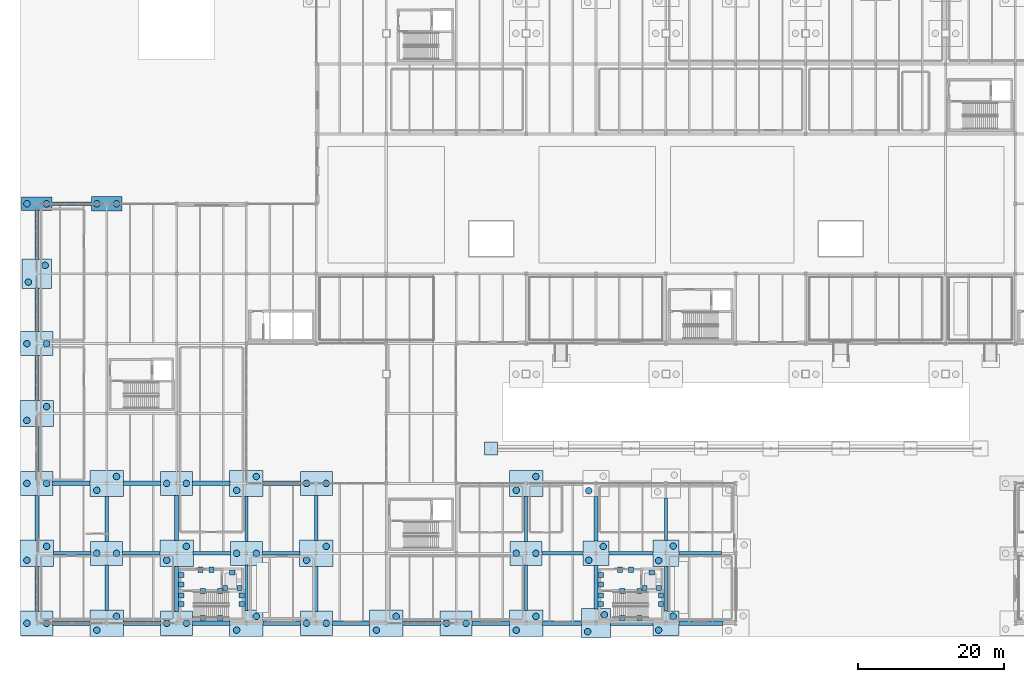
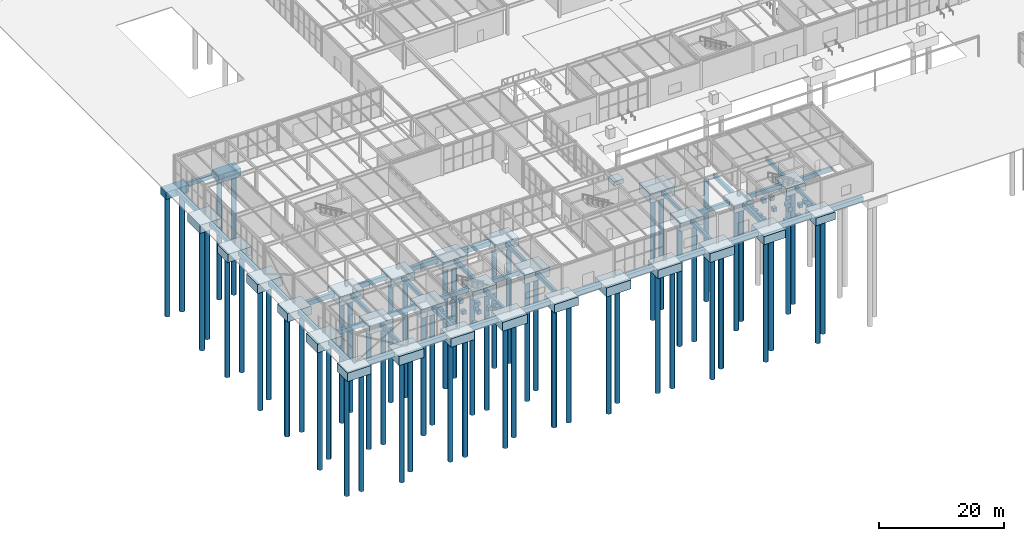
# One storey, part 1 of 142: 102 footings, 59 piles.
"""IFC4 building model written with IfcOpenShell, lengths in metres."""

from ifc_helpers import new_model, si_unit, direction, frame, origin, origin_2d, place, context, subcontext, project, spatial, rectangle, circle, extrude, material, material_profile, profile_set, type_object, element, save


model = new_model("IFC4")

# Units and contexts
model_context = context("Model", 3, precision=1e-05, world=origin(), true_north=direction((0.0, 1.0)))
body_context = subcontext(model_context, "Body", "Model", "MODEL_VIEW")
ifc_project = project(units=[si_unit("LENGTHUNIT", "METRE"), si_unit("AREAUNIT", "SQUARE_METRE"), si_unit("VOLUMEUNIT", "CUBIC_METRE"), si_unit("PLANEANGLEUNIT", "RADIAN"), si_unit("MASSUNIT", "GRAM", prefix="KILO")], contexts=[model_context])

# Site, building, storey
site_placement = place(None, origin())
site = spatial("IfcSite", under=ifc_project, at=site_placement, CompositionType="ELEMENT")
building_placement = place(site_placement, origin())
building = spatial("IfcBuilding", under=site, at=building_placement, Name="Coralgate Yard Interchange", CompositionType="ELEMENT")
storey_placement = place(building_placement, origin())
storey = spatial("IfcBuildingStorey", under=building, at=storey_placement, Name="L00", CompositionType="ELEMENT", Elevation=0.0)

# Footings
ifc_material_1 = material(Name="Concrete C40/50", Category="concrete")
ifc_material_profile_1 = material_profile(ifc_material_1, rectangle(XDim=0.60009765625, YDim=0.89990234375, at=origin_2d()), Name="RC 600x900")
ifc_profile_set_1 = profile_set([ifc_material_profile_1], Name="Concrete C40/50")
footing_type_1 = type_object("IfcFootingType", Name="FTG-GB-1", PredefinedType="FOOTING_BEAM", material=ifc_profile_set_1)
for number, where, z_axis, x_axis, name in (
    (1, (2.179931640625, 0.0, -0.800048828125), (1.0, 0.0, 0.0), (0.0, 1.0, 0.0), "Ground tie-beam X 0-0"),
    (2, (2.179931640625, 19.199951171875, -0.800048828125), (1.0, 0.0, 0.0), (0.0, 1.0, 0.0), "Ground tie-beam X 0-2"),
    (3, (11.8798828125, 0.0, -0.800048828125), (1.0, 0.0, 0.0), (0.0, 1.0, 0.0), "Ground tie-beam X 1-0"),
    (4, (11.8798828125, 19.199951171875, -0.800048828125), (1.0, 0.0, 0.0), (0.0, 1.0, 0.0), "Ground tie-beam X 1-2"),
    (5, (21.3798828125, 0.0, -0.800048828125), (1.0, 0.0, 0.0), (0.0, 1.0, 0.0), "Ground tie-beam X 2-0"),
    (6, (21.3798828125, 19.199951171875, -0.800048828125), (1.0, 0.0, 0.0), (0.0, 1.0, 0.0), "Ground tie-beam X 2-2"),
):
    element("IfcFooting", number, at=place(storey_placement, frame(where, z_axis=z_axis, x_axis=x_axis)), inside=storey, type_object=footing_type_1, Name=name, PredefinedType="FOOTING_BEAM", context=body_context, shape_type="SweptSolid", body=[
        extrude(rectangle(XDim=0.60009765625, YDim=0.89990234375, at=origin_2d()), origin(), (0.0, 0.0, 1.0), 5.14013671875),
    ])
for number, where, z_axis, x_axis, name in (
    (7, (31.080078125, 0.0, -0.800048828125), (1.0, 0.0, 0.0), (0.0, 1.0, 0.0), "Ground tie-beam X 3-0"),
    (8, (31.080078125, 19.199951171875, -0.800048828125), (1.0, 0.0, 0.0), (0.0, 1.0, 0.0), "Ground tie-beam X 3-2"),
    (9, (40.580078125, 0.0, -0.800048828125), (1.0, 0.0, 0.0), (0.0, 1.0, 0.0), "Ground tie-beam X 4-0"),
    (10, (50.280029296875, 0.0, -0.800048828125), (1.0, 0.0, 0.0), (0.0, 1.0, 0.0), "Ground tie-beam X 5-0"),
    (11, (59.780029296875, 0.0, -0.800048828125), (1.0, 0.0, 0.0), (0.0, 1.0, 0.0), "Ground tie-beam X 6-0"),
):
    element("IfcFooting", number, at=place(storey_placement, frame(where, z_axis=z_axis, x_axis=x_axis)), inside=storey, type_object=footing_type_1, Name=name, PredefinedType="FOOTING_BEAM", context=body_context, shape_type="SweptSolid", body=[
        extrude(rectangle(XDim=0.60009765625, YDim=0.89990234375, at=origin_2d()), origin(), (0.0, 0.0, 1.0), 5.139892578125),
    ])
footing_1_placement = place(storey_placement, frame((69.47998046875, 0.0, -0.800048828125), z_axis=(1.0, 0.0, 0.0), x_axis=(0.0, 1.0, 0.0)))
element("IfcFooting", 12, at=footing_1_placement, inside=storey, type_object=footing_type_1, Name="Ground tie-beam X 7-0", PredefinedType="FOOTING_BEAM", context=body_context, shape_type="SweptSolid", body=[
    extrude(rectangle(XDim=0.60009765625, YDim=0.89990234375, at=origin_2d()), origin(), (0.0, 0.0, 1.0), 5.340087890625),
])
footing_2_placement = place(storey_placement, frame((78.780029296875, 0.0, -0.800048828125), z_axis=(1.0, 0.0, 0.0), x_axis=(0.0, 1.0, 0.0)))
element("IfcFooting", 13, at=footing_2_placement, inside=storey, type_object=footing_type_1, Name="Ground tie-beam X 8-0", PredefinedType="FOOTING_BEAM", context=body_context, shape_type="SweptSolid", body=[
    extrude(rectangle(XDim=0.60009765625, YDim=0.89990234375, at=origin_2d()), origin(), (0.0, 0.0, 1.0), 5.840087890625),
])
footing_3_placement = place(storey_placement, frame((88.179931640625, 0.0, -0.800048828125), z_axis=(1.0, 0.0, 0.0), x_axis=(0.0, 1.0, 0.0)))
element("IfcFooting", 14, at=footing_3_placement, inside=storey, type_object=footing_type_1, Name="Ground tie-beam X 9-0", PredefinedType="FOOTING_BEAM", context=body_context, shape_type="SweptSolid", body=[
    extrude(rectangle(XDim=0.60009765625, YDim=0.89990234375, at=origin_2d()), origin(), (0.0, 0.0, 1.0), 6.0400390625),
])
ifc_material_profile_2 = material_profile(ifc_material_1, rectangle(XDim=0.5, YDim=0.800048828125, at=origin_2d()), Name="RC 500x800")
ifc_profile_set_2 = profile_set([ifc_material_profile_2], Name="Concrete C40/50")
footing_type_2 = type_object("IfcFootingType", Name="FTG-GB-2", PredefinedType="FOOTING_BEAM", material=ifc_profile_set_2)
footing_4_placement = place(storey_placement, frame((0.0, 1.6298828125, -0.75), z_axis=(0.0, 1.0, 0.0), x_axis=(-1.0, 0.0, 0.0)))
element("IfcFooting", 15, at=footing_4_placement, inside=storey, type_object=footing_type_2, Name="Ground tie-beam Y 0-0", PredefinedType="FOOTING_BEAM", context=body_context, shape_type="SweptSolid", body=[
    extrude(rectangle(XDim=0.5, YDim=0.800048828125, at=origin_2d()), origin(), (0.0, 0.0, 1.0), 6.190185546875),
])
footing_5_placement = place(storey_placement, frame((2.280029296875, 9.60009765625, -0.75), z_axis=(1.0, 0.0, 0.0), x_axis=(0.0, 1.0, 0.0)))
element("IfcFooting", 16, at=footing_5_placement, inside=storey, type_object=footing_type_2, Name="Ground tie-beam X 0-1", PredefinedType="FOOTING_BEAM", context=body_context, shape_type="SweptSolid", body=[
    extrude(rectangle(XDim=0.5, YDim=0.800048828125, at=origin_2d()), origin(), (0.0, 0.0, 1.0), 5.139892578125),
])
footing_6_placement = place(storey_placement, frame((0.0, 11.3798828125, -0.75), z_axis=(0.0, 1.0, 0.0), x_axis=(-1.0, 0.0, 0.0)))
element("IfcFooting", 17, at=footing_6_placement, inside=storey, type_object=footing_type_2, Name="Ground tie-beam Y 0-1", PredefinedType="FOOTING_BEAM", context=body_context, shape_type="SweptSolid", body=[
    extrude(rectangle(XDim=0.5, YDim=0.800048828125, at=origin_2d()), origin(), (0.0, 0.0, 1.0), 6.190185546875),
])
for number, where, z_axis, x_axis, name in (
    (18, (0.0, 20.830078125, -0.75), (0.0, 1.0, 0.0), (-1.0, 0.0, 0.0), "Ground tie-beam Y 0-2"),
    (19, (0.0, 30.580078125, -0.75), (0.0, 1.0, 0.0), (-1.0, 0.0, 0.0), "Ground tie-beam Y 0-3"),
):
    element("IfcFooting", number, at=place(storey_placement, frame(where, z_axis=z_axis, x_axis=x_axis)), inside=storey, type_object=footing_type_2, Name=name, PredefinedType="FOOTING_BEAM", context=body_context, shape_type="SweptSolid", body=[
        extrude(rectangle(XDim=0.5, YDim=0.800048828125, at=origin_2d()), origin(), (0.0, 0.0, 1.0), 6.18994140625),
    ])
footing_7_placement = place(storey_placement, frame((0.0, 40.030029296875, -0.75), z_axis=(0.0, 1.0, 0.0), x_axis=(-1.0, 0.0, 0.0)))
element("IfcFooting", 20, at=footing_7_placement, inside=storey, type_object=footing_type_2, Name="Ground tie-beam Y 0-4", PredefinedType="FOOTING_BEAM", context=body_context, shape_type="SweptSolid", body=[
    extrude(rectangle(XDim=0.5, YDim=0.800048828125, at=origin_2d()), origin(), (0.0, 0.0, 1.0), 5.989990234375),
])
footing_8_placement = place(storey_placement, frame((0.0, 49.97998046875, -0.75), z_axis=(0.0, 1.0, 0.0), x_axis=(-1.0, 0.0, 0.0)))
element("IfcFooting", 21, at=footing_8_placement, inside=storey, type_object=footing_type_2, Name="Ground tie-beam Y 0-5", PredefinedType="FOOTING_BEAM", context=body_context, shape_type="SweptSolid", body=[
    extrude(rectangle(XDim=0.5, YDim=0.800048828125, at=origin_2d()), origin(), (0.0, 0.0, 1.0), 6.739990234375),
])
footing_9_placement = place(storey_placement, frame((2.080078125, 57.60009765625, -0.75), z_axis=(1.0, 0.0, 0.0), x_axis=(0.0, 1.0, 0.0)))
element("IfcFooting", 22, at=footing_9_placement, inside=storey, type_object=footing_type_2, Name="Ground tie-beam X 0-6", PredefinedType="FOOTING_BEAM", context=body_context, shape_type="SweptSolid", body=[
    extrude(rectangle(XDim=0.5, YDim=0.800048828125, at=origin_2d()), origin(), (0.0, 0.0, 1.0), 5.43994140625),
])
footing_10_placement = place(storey_placement, frame((11.780029296875, 9.60009765625, -0.75), z_axis=(1.0, 0.0, 0.0), x_axis=(0.0, 1.0, 0.0)))
element("IfcFooting", 23, at=footing_10_placement, inside=storey, type_object=footing_type_2, Name="Ground tie-beam X 1-1", PredefinedType="FOOTING_BEAM", context=body_context, shape_type="SweptSolid", body=[
    extrude(rectangle(XDim=0.5, YDim=0.800048828125, at=origin_2d()), origin(), (0.0, 0.0, 1.0), 5.139892578125),
])
footing_11_placement = place(storey_placement, frame((19.199951171875, 1.6298828125, -0.75), z_axis=(0.0, 1.0, 0.0), x_axis=(-1.0, 0.0, 0.0)))
element("IfcFooting", 24, at=footing_11_placement, inside=storey, type_object=footing_type_2, Name="Ground tie-beam Y 2-0", PredefinedType="FOOTING_BEAM", context=body_context, shape_type="SweptSolid", body=[
    extrude(rectangle(XDim=0.5, YDim=0.800048828125, at=origin_2d()), origin(), (0.0, 0.0, 1.0), 6.190185546875),
])
footing_12_placement = place(storey_placement, frame((21.47998046875, 9.60009765625, -0.75), z_axis=(1.0, 0.0, 0.0), x_axis=(0.0, 1.0, 0.0)))
element("IfcFooting", 25, at=footing_12_placement, inside=storey, type_object=footing_type_2, Name="Ground tie-beam X 2-1", PredefinedType="FOOTING_BEAM", context=body_context, shape_type="SweptSolid", body=[
    extrude(rectangle(XDim=0.5, YDim=0.800048828125, at=origin_2d()), origin(), (0.0, 0.0, 1.0), 5.14013671875),
])
footing_13_placement = place(storey_placement, frame((19.199951171875, 11.3798828125, -0.75), z_axis=(0.0, 1.0, 0.0), x_axis=(-1.0, 0.0, 0.0)))
element("IfcFooting", 26, at=footing_13_placement, inside=storey, type_object=footing_type_2, Name="Ground tie-beam Y 2-1", PredefinedType="FOOTING_BEAM", context=body_context, shape_type="SweptSolid", body=[
    extrude(rectangle(XDim=0.5, YDim=0.800048828125, at=origin_2d()), origin(), (0.0, 0.0, 1.0), 6.190185546875),
])
footing_14_placement = place(storey_placement, frame((30.97998046875, 9.60009765625, -0.75), z_axis=(1.0, 0.0, 0.0), x_axis=(0.0, 1.0, 0.0)))
element("IfcFooting", 27, at=footing_14_placement, inside=storey, type_object=footing_type_2, Name="Ground tie-beam X 3-1", PredefinedType="FOOTING_BEAM", context=body_context, shape_type="SweptSolid", body=[
    extrude(rectangle(XDim=0.5, YDim=0.800048828125, at=origin_2d()), origin(), (0.0, 0.0, 1.0), 5.14013671875),
])
for number, where, z_axis, x_axis, name in (
    (28, (38.39990234375, 1.6298828125, -0.75), (0.0, 1.0, 0.0), (-1.0, 0.0, 0.0), "Ground tie-beam Y 4-0"),
    (29, (38.39990234375, 11.3798828125, -0.75), (0.0, 1.0, 0.0), (-1.0, 0.0, 0.0), "Ground tie-beam Y 4-1"),
):
    element("IfcFooting", number, at=place(storey_placement, frame(where, z_axis=z_axis, x_axis=x_axis)), inside=storey, type_object=footing_type_2, Name=name, PredefinedType="FOOTING_BEAM", context=body_context, shape_type="SweptSolid", body=[
        extrude(rectangle(XDim=0.5, YDim=0.800048828125, at=origin_2d()), origin(), (0.0, 0.0, 1.0), 6.190185546875),
    ])
footing_15_placement = place(storey_placement, frame((69.3798828125, 9.60009765625, -0.75), z_axis=(1.0, 0.0, 0.0), x_axis=(0.0, 1.0, 0.0)))
element("IfcFooting", 30, at=footing_15_placement, inside=storey, type_object=footing_type_2, Name="Ground tie-beam X 7-1", PredefinedType="FOOTING_BEAM", context=body_context, shape_type="SweptSolid", body=[
    extrude(rectangle(XDim=0.5, YDim=0.800048828125, at=origin_2d()), origin(), (0.0, 0.0, 1.0), 5.64013671875),
])
footing_16_placement = place(storey_placement, frame((76.800048828125, 1.97998046875, -0.75), z_axis=(0.0, 1.0, 0.0), x_axis=(-1.0, 0.0, 0.0)))
element("IfcFooting", 31, at=footing_16_placement, inside=storey, type_object=footing_type_2, Name="Ground tie-beam Y 8-0", PredefinedType="FOOTING_BEAM", context=body_context, shape_type="SweptSolid", body=[
    extrude(rectangle(XDim=0.5, YDim=0.800048828125, at=origin_2d()), origin(), (0.0, 0.0, 1.0), 5.93994140625),
])
footing_17_placement = place(storey_placement, frame((78.580078125, 9.60009765625, -0.75), z_axis=(1.0, 0.0, 0.0), x_axis=(0.0, 1.0, 0.0)))
element("IfcFooting", 32, at=footing_17_placement, inside=storey, type_object=footing_type_2, Name="Ground tie-beam X 8-1", PredefinedType="FOOTING_BEAM", context=body_context, shape_type="SweptSolid", body=[
    extrude(rectangle(XDim=0.5, YDim=0.800048828125, at=origin_2d()), origin(), (0.0, 0.0, 1.0), 6.0400390625),
])
footing_18_placement = place(storey_placement, frame((76.800048828125, 11.280029296875, -0.75), z_axis=(0.0, 1.0, 0.0), x_axis=(-1.0, 0.0, 0.0)))
element("IfcFooting", 33, at=footing_18_placement, inside=storey, type_object=footing_type_2, Name="Ground tie-beam Y 8-1", PredefinedType="FOOTING_BEAM", context=body_context, shape_type="SweptSolid", body=[
    extrude(rectangle(XDim=0.5, YDim=0.800048828125, at=origin_2d()), origin(), (0.0, 0.0, 1.0), 6.139892578125),
])
footing_19_placement = place(storey_placement, frame((88.179931640625, 9.60009765625, -0.75), z_axis=(1.0, 0.0, 0.0), x_axis=(0.0, 1.0, 0.0)))
element("IfcFooting", 34, at=footing_19_placement, inside=storey, type_object=footing_type_2, Name="Ground tie-beam X 9-1", PredefinedType="FOOTING_BEAM", context=body_context, shape_type="SweptSolid", body=[
    extrude(rectangle(XDim=0.5, YDim=0.800048828125, at=origin_2d()), origin(), (0.0, 0.0, 1.0), 5.840087890625),
])
ifc_material_profile_3 = material_profile(ifc_material_1, rectangle(XDim=0.449951171875, YDim=0.699951171875, at=origin_2d()), Name="RC 450x700")
ifc_profile_set_3 = profile_set([ifc_material_profile_3], Name="Concrete C40/50")
footing_type_3 = type_object("IfcFootingType", Name="FTG-GB-3", PredefinedType="FOOTING_BEAM", material=ifc_profile_set_3)
for number, where, z_axis, x_axis, name in (
    (35, (9.60009765625, 1.780029296875, -0.699951171875), (0.0, 1.0, 0.0), (-1.0, 0.0, 0.0), "Ground tie-beam Y 1-0"),
    (36, (9.60009765625, 11.22998046875, -0.699951171875), (0.0, 1.0, 0.0), (-1.0, 0.0, 0.0), "Ground tie-beam Y 1-1"),
    (37, (28.800048828125, 1.780029296875, -0.699951171875), (0.0, 1.0, 0.0), (-1.0, 0.0, 0.0), "Ground tie-beam Y 3-0"),
    (38, (28.800048828125, 11.22998046875, -0.699951171875), (0.0, 1.0, 0.0), (-1.0, 0.0, 0.0), "Ground tie-beam Y 3-1"),
    (39, (67.199951171875, 1.780029296875, -0.699951171875), (0.0, 1.0, 0.0), (-1.0, 0.0, 0.0), "Ground tie-beam Y 7-0"),
    (40, (67.199951171875, 11.22998046875, -0.699951171875), (0.0, 1.0, 0.0), (-1.0, 0.0, 0.0), "Ground tie-beam Y 7-1"),
):
    element("IfcFooting", number, at=place(storey_placement, frame(where, z_axis=z_axis, x_axis=x_axis)), inside=storey, type_object=footing_type_3, Name=name, PredefinedType="FOOTING_BEAM", context=body_context, shape_type="SweptSolid", body=[
        extrude(rectangle(XDim=0.449951171875, YDim=0.699951171875, at=origin_2d()), origin(), (0.0, 0.0, 1.0), 6.18994140625),
    ])
footing_20_placement = place(storey_placement, frame((86.39990234375, 1.679931640625, -0.699951171875), z_axis=(0.0, 1.0, 0.0), x_axis=(-1.0, 0.0, 0.0)))
element("IfcFooting", 41, at=footing_20_placement, inside=storey, type_object=footing_type_3, Name="Ground tie-beam Y 9-0", PredefinedType="FOOTING_BEAM", context=body_context, shape_type="SweptSolid", body=[
    extrude(rectangle(XDim=0.449951171875, YDim=0.699951171875, at=origin_2d()), origin(), (0.0, 0.0, 1.0), 6.14013671875),
])
footing_21_placement = place(storey_placement, frame((86.39990234375, 11.3798828125, -0.699951171875), z_axis=(0.0, 1.0, 0.0), x_axis=(-1.0, 0.0, 0.0)))
element("IfcFooting", 42, at=footing_21_placement, inside=storey, type_object=footing_type_3, Name="Ground tie-beam Y 9-1", PredefinedType="FOOTING_BEAM", context=body_context, shape_type="SweptSolid", body=[
    extrude(rectangle(XDim=0.449951171875, YDim=0.699951171875, at=origin_2d()), origin(), (0.0, 0.0, 1.0), 5.840087890625),
])
footing_type_4 = type_object("IfcFootingType", Name="FTG-PC-2A", PredefinedType="PILE_CAP", material=ifc_material_1)
footing_22_placement = place(storey_placement, frame((0.0, 57.60009765625, -1.75), z_axis=(0.0, 0.0, 1.0), x_axis=(1.0, 0.0, 0.0)))
element("IfcFooting", 43, at=footing_22_placement, inside=storey, type_object=footing_type_4, Name="Pile cap 0-6", PredefinedType="PILE_CAP", context=body_context, shape_type="SweptSolid", body=[
    extrude(rectangle(XDim=4.199951171875, YDim=1.800048828125, at=origin_2d()), origin(), (0.0, 0.0, 1.0), 1.39990234375),
])
footing_type_5 = type_object("IfcFootingType", Name="FTG-PC-2B", PredefinedType="PILE_CAP", material=ifc_material_1)
footing_23_placement = place(storey_placement, frame((9.60009765625, 57.60009765625, -1.7998046875), z_axis=(0.0, 0.0, 1.0), x_axis=(1.0, 0.0, 0.0)))
element("IfcFooting", 44, at=footing_23_placement, inside=storey, type_object=footing_type_5, Name="Pile cap 1-6", PredefinedType="PILE_CAP", context=body_context, shape_type="SweptSolid", body=[
    extrude(rectangle(XDim=4.199951171875, YDim=2.0, at=origin_2d()), origin(), (0.0, 0.0, 1.0), 1.449951171875),
])
footing_type_6 = type_object("IfcFootingType", Name="FTG-PC-4A", PredefinedType="PILE_CAP", material=ifc_material_1)
for number, where, z_axis, x_axis, name in (
    (45, (76.800048828125, 9.60009765625, -1.85009765625), (0.0, 0.0, 1.0), (1.0, 0.0, 0.0), "Pile cap 8-1"),
    (46, (86.39990234375, 0.0, -1.85009765625), (0.0, 0.0, 1.0), (1.0, 0.0, 0.0), "Pile cap 9-0"),
):
    element("IfcFooting", number, at=place(storey_placement, frame(where, z_axis=z_axis, x_axis=x_axis)), inside=storey, type_object=footing_type_6, Name=name, PredefinedType="PILE_CAP", context=body_context, shape_type="SweptSolid", body=[
        extrude(rectangle(XDim=3.60009765625, YDim=3.39990234375, at=origin_2d()), origin(), (0.0, 0.0, 1.0), 1.5),
    ])
footing_type_7 = type_object("IfcFootingType", Name="FTG-PC-4B", PredefinedType="PILE_CAP", material=ifc_material_1)
footing_24_placement = place(storey_placement, frame((86.39990234375, 9.60009765625, -1.89990234375), z_axis=(0.0, 0.0, 1.0), x_axis=(1.0, 0.0, 0.0)))
element("IfcFooting", 47, at=footing_24_placement, inside=storey, type_object=footing_type_7, Name="Pile cap 9-1", PredefinedType="PILE_CAP", context=body_context, shape_type="SweptSolid", body=[
    extrude(rectangle(XDim=3.60009765625, YDim=3.60009765625, at=origin_2d()), origin(), (0.0, 0.0, 1.0), 1.550048828125),
])
footing_type_8 = type_object("IfcFootingType", Name="FTG-PC-4C", PredefinedType="PILE_CAP", material=ifc_material_1)
for number, where, z_axis, x_axis, name in (
    (48, (0.0, 48.0, -1.949951171875), (0.0, 0.0, 1.0), (1.0, 0.0, 0.0), "Pile cap 0-5"),
    (49, (76.800048828125, 0.0, -1.949951171875), (0.0, 0.0, 1.0), (1.0, 0.0, 0.0), "Pile cap 8-0"),
):
    element("IfcFooting", number, at=place(storey_placement, frame(where, z_axis=z_axis, x_axis=x_axis)), inside=storey, type_object=footing_type_8, Name=name, PredefinedType="PILE_CAP", context=body_context, shape_type="SweptSolid", body=[
        extrude(rectangle(XDim=4.0, YDim=4.0, at=origin_2d()), origin(), (0.0, 0.0, 1.0), 1.60009765625),
    ])
footing_type_9 = type_object("IfcFootingType", Name="FTG-PC-6A", PredefinedType="PILE_CAP", material=ifc_material_1)
for number, where, z_axis, x_axis, name in (
    (50, (0.0, 0.0, -2.0), (0.0, 0.0, 1.0), (1.0, 0.0, 0.0), "Pile cap 0-0"),
    (51, (0.0, 19.199951171875, -2.0), (0.0, 0.0, 1.0), (1.0, 0.0, 0.0), "Pile cap 0-2"),
    (52, (0.0, 38.39990234375, -2.0), (0.0, 0.0, 1.0), (1.0, 0.0, 0.0), "Pile cap 0-4"),
    (53, (9.60009765625, 9.60009765625, -2.0), (0.0, 0.0, 1.0), (1.0, 0.0, 0.0), "Pile cap 1-1"),
    (54, (19.199951171875, 0.0, -2.0), (0.0, 0.0, 1.0), (1.0, 0.0, 0.0), "Pile cap 2-0"),
    (55, (19.199951171875, 19.199951171875, -2.0), (0.0, 0.0, 1.0), (1.0, 0.0, 0.0), "Pile cap 2-2"),
    (56, (28.800048828125, 9.60009765625, -2.0), (0.0, 0.0, 1.0), (1.0, 0.0, 0.0), "Pile cap 3-1"),
    (57, (38.39990234375, 0.0, -2.0), (0.0, 0.0, 1.0), (1.0, 0.0, 0.0), "Pile cap 4-0"),
    (58, (38.39990234375, 19.199951171875, -2.0), (0.0, 0.0, 1.0), (1.0, 0.0, 0.0), "Pile cap 4-2"),
    (59, (57.60009765625, 0.0, -2.0), (0.0, 0.0, 1.0), (1.0, 0.0, 0.0), "Pile cap 6-0"),
    (60, (67.199951171875, 9.60009765625, -2.0), (0.0, 0.0, 1.0), (1.0, 0.0, 0.0), "Pile cap 7-1"),
):
    element("IfcFooting", number, at=place(storey_placement, frame(where, z_axis=z_axis, x_axis=x_axis)), inside=storey, type_object=footing_type_9, Name=name, PredefinedType="PILE_CAP", context=body_context, shape_type="SweptSolid", body=[
        extrude(rectangle(XDim=4.39990234375, YDim=3.300048828125, at=origin_2d()), origin(), (0.0, 0.0, 1.0), 1.64990234375),
    ])
footing_type_10 = type_object("IfcFootingType", Name="FTG-PC-6B", PredefinedType="PILE_CAP", material=ifc_material_1)
for number, where, z_axis, x_axis, name in (
    (61, (0.0, 9.60009765625, -2.10009765625), (0.0, 0.0, 1.0), (1.0, 0.0, 0.0), "Pile cap 0-1"),
    (62, (0.0, 28.800048828125, -2.10009765625), (0.0, 0.0, 1.0), (1.0, 0.0, 0.0), "Pile cap 0-3"),
    (63, (9.60009765625, 0.0, -2.10009765625), (0.0, 0.0, 1.0), (1.0, 0.0, 0.0), "Pile cap 1-0"),
    (64, (9.60009765625, 19.199951171875, -2.10009765625), (0.0, 0.0, 1.0), (1.0, 0.0, 0.0), "Pile cap 1-2"),
    (65, (19.199951171875, 9.60009765625, -2.10009765625), (0.0, 0.0, 1.0), (1.0, 0.0, 0.0), "Pile cap 2-1"),
    (66, (28.800048828125, 0.0, -2.10009765625), (0.0, 0.0, 1.0), (1.0, 0.0, 0.0), "Pile cap 3-0"),
    (67, (28.800048828125, 19.199951171875, -2.10009765625), (0.0, 0.0, 1.0), (1.0, 0.0, 0.0), "Pile cap 3-2"),
    (68, (38.39990234375, 9.60009765625, -2.10009765625), (0.0, 0.0, 1.0), (1.0, 0.0, 0.0), "Pile cap 4-1"),
    (69, (48.0, 0.0, -2.10009765625), (0.0, 0.0, 1.0), (1.0, 0.0, 0.0), "Pile cap 5-0"),
    (70, (67.199951171875, 0.0, -2.10009765625), (0.0, 0.0, 1.0), (1.0, 0.0, 0.0), "Pile cap 7-0"),
    (71, (67.199951171875, 19.199951171875, -2.10009765625), (0.0, 0.0, 1.0), (1.0, 0.0, 0.0), "Pile cap 7-2"),
):
    element("IfcFooting", number, at=place(storey_placement, frame(where, z_axis=z_axis, x_axis=x_axis)), inside=storey, type_object=footing_type_10, Name=name, PredefinedType="PILE_CAP", context=body_context, shape_type="SweptSolid", body=[
        extrude(rectangle(XDim=4.60009765625, YDim=3.60009765625, at=origin_2d()), origin(), (0.0, 0.0, 1.0), 1.75),
    ])
footing_type_11 = type_object("IfcFootingType", Name="FTG-PF-1", PredefinedType="PAD_FOOTING", material=ifc_material_1)
footing_25_placement = place(storey_placement, frame((62.39990234375, 24.0, -0.97998046875), z_axis=(0.0, 0.0, 1.0), x_axis=(1.0, 0.0, 0.0)))
element("IfcFooting", 72, at=footing_25_placement, inside=storey, type_object=footing_type_11, Name="Courtyard colonnade pad footing 1", PredefinedType="PAD_FOOTING", context=body_context, shape_type="SweptSolid", body=[
    extrude(rectangle(XDim=1.800048828125, YDim=1.800048828125, at=origin_2d()), origin(), (0.0, 0.0, 1.0), 0.800048828125),
])
footing_type_12 = type_object("IfcFootingType", Name="FTG-PF-4", PredefinedType="PAD_FOOTING", material=ifc_material_1)
for number, where, z_axis, x_axis, name in (
    (73, (22.800048828125, 0.699951171875, -1.110107421875), (0.0, 0.0, 1.0), (1.0, 0.0, 0.0), "Core C3 shear-wall pad footing STS1"),
    (74, (25.199951171875, 0.699951171875, -1.110107421875), (0.0, 0.0, 1.0), (1.0, 0.0, 0.0), "Core C3 shear-wall pad footing STS2"),
    (75, (22.800048828125, 4.449951171875, -1.110107421875), (0.0, 0.0, 1.0), (1.0, 0.0, 0.0), "Core C3 shear-wall pad footing STN1"),
    (76, (25.199951171875, 4.449951171875, -1.110107421875), (0.0, 0.0, 1.0), (1.0, 0.0, 0.0), "Core C3 shear-wall pad footing STN2"),
    (77, (19.85009765625, 2.64990234375, -1.110107421875), (0.0, 0.0, 1.0), (1.0, 0.0, 0.0), "Core C3 shear-wall pad footing STW1"),
    (78, (19.85009765625, 3.800048828125, -1.110107421875), (0.0, 0.0, 1.0), (1.0, 0.0, 0.0), "Core C3 shear-wall pad footing STW2"),
    (79, (28.14990234375, 2.64990234375, -1.110107421875), (0.0, 0.0, 1.0), (1.0, 0.0, 0.0), "Core C3 shear-wall pad footing STE1"),
    (80, (28.14990234375, 3.800048828125, -1.110107421875), (0.0, 0.0, 1.0), (1.0, 0.0, 0.0), "Core C3 shear-wall pad footing STE2"),
    (81, (22.5, 7.35009765625, -1.110107421875), (0.0, 0.0, 1.0), (1.0, 0.0, 0.0), "Core C3 shear-wall pad footing LBN1"),
    (82, (24.0, 7.35009765625, -1.110107421875), (0.0, 0.0, 1.0), (1.0, 0.0, 0.0), "Core C3 shear-wall pad footing LBN2"),
    (83, (19.85009765625, 5.300048828125, -1.110107421875), (0.0, 0.0, 1.0), (1.0, 0.0, 0.0), "Core C3 shear-wall pad footing LBW1"),
    (84, (19.85009765625, 6.60009765625, -1.110107421875), (0.0, 0.0, 1.0), (1.0, 0.0, 0.0), "Core C3 shear-wall pad footing LBW2"),
    (85, (25.85009765625, 4.85009765625, -2.3701171875), (0.0, 0.0, 1.0), (1.0, 0.0, 0.0), "LF-01 lift pit pad footing SW"),
    (86, (27.85009765625, 4.85009765625, -2.3701171875), (0.0, 0.0, 1.0), (1.0, 0.0, 0.0), "LF-01 lift pit pad footing SE"),
    (87, (26.85009765625, 6.949951171875, -2.3701171875), (0.0, 0.0, 1.0), (1.0, 0.0, 0.0), "LF-01 lift pit pad footing N"),
    (88, (80.39990234375, 0.699951171875, -1.110107421875), (0.0, 0.0, 1.0), (1.0, 0.0, 0.0), "Core C4 shear-wall pad footing STS1"),
    (89, (82.800048828125, 0.699951171875, -1.110107421875), (0.0, 0.0, 1.0), (1.0, 0.0, 0.0), "Core C4 shear-wall pad footing STS2"),
    (90, (80.39990234375, 4.449951171875, -1.110107421875), (0.0, 0.0, 1.0), (1.0, 0.0, 0.0), "Core C4 shear-wall pad footing STN1"),
    (91, (82.800048828125, 4.449951171875, -1.110107421875), (0.0, 0.0, 1.0), (1.0, 0.0, 0.0), "Core C4 shear-wall pad footing STN2"),
    (92, (77.449951171875, 2.64990234375, -1.110107421875), (0.0, 0.0, 1.0), (1.0, 0.0, 0.0), "Core C4 shear-wall pad footing STW1"),
    (93, (77.449951171875, 3.800048828125, -1.110107421875), (0.0, 0.0, 1.0), (1.0, 0.0, 0.0), "Core C4 shear-wall pad footing STW2"),
    (94, (85.75, 2.64990234375, -1.110107421875), (0.0, 0.0, 1.0), (1.0, 0.0, 0.0), "Core C4 shear-wall pad footing STE1"),
    (95, (85.75, 3.800048828125, -1.110107421875), (0.0, 0.0, 1.0), (1.0, 0.0, 0.0), "Core C4 shear-wall pad footing STE2"),
    (96, (80.10009765625, 7.35009765625, -1.110107421875), (0.0, 0.0, 1.0), (1.0, 0.0, 0.0), "Core C4 shear-wall pad footing LBN1"),
    (97, (81.60009765625, 7.35009765625, -1.110107421875), (0.0, 0.0, 1.0), (1.0, 0.0, 0.0), "Core C4 shear-wall pad footing LBN2"),
    (98, (77.449951171875, 5.300048828125, -1.110107421875), (0.0, 0.0, 1.0), (1.0, 0.0, 0.0), "Core C4 shear-wall pad footing LBW1"),
    (99, (77.449951171875, 6.60009765625, -1.110107421875), (0.0, 0.0, 1.0), (1.0, 0.0, 0.0), "Core C4 shear-wall pad footing LBW2"),
    (100, (83.449951171875, 4.85009765625, -2.3701171875), (0.0, 0.0, 1.0), (1.0, 0.0, 0.0), "LF-02 lift pit pad footing SW"),
    (101, (85.449951171875, 4.85009765625, -2.3701171875), (0.0, 0.0, 1.0), (1.0, 0.0, 0.0), "LF-02 lift pit pad footing SE"),
    (102, (84.449951171875, 6.949951171875, -2.3701171875), (0.0, 0.0, 1.0), (1.0, 0.0, 0.0), "LF-02 lift pit pad footing N"),
):
    element("IfcFooting", number, at=place(storey_placement, frame(where, z_axis=z_axis, x_axis=x_axis)), inside=storey, type_object=footing_type_12, Name=name, PredefinedType="PAD_FOOTING", context=body_context, shape_type="SweptSolid", body=[
        extrude(rectangle(XDim=0.699951171875, YDim=0.699951171875, at=origin_2d()), origin(), (0.0, 0.0, 1.0), 0.75),
    ])

# Piles
ifc_material_2 = material(Name="Concrete C35/45", Category="concrete")
ifc_material_profile_4 = material_profile(ifc_material_2, circle(Radius=0.449951171875, at=origin_2d()), Name="BORED PILE D900")
ifc_profile_set_4 = profile_set([ifc_material_profile_4], Name="Concrete C35/45")
pile_type = type_object("IfcPileType", Name="PILE-P-900", PredefinedType="BORED", material=ifc_profile_set_4)
for number, where, z_axis, x_axis, name in (
    (103, (-1.35009765625, 0.0, -1.89990234375), (0.0, 0.0, -1.0), (1.0, 0.0, 0.0), "Bored pile 0-0-1"),
    (104, (1.35009765625, 0.0, -1.89990234375), (0.0, 0.0, -1.0), (1.0, 0.0, 0.0), "Bored pile 0-0-2"),
    (105, (-1.35009765625, 8.64990234375, -2.0), (0.0, 0.0, -1.0), (1.0, 0.0, 0.0), "Bored pile 0-1-1"),
    (106, (1.35009765625, 10.550048828125, -2.0), (0.0, 0.0, -1.0), (1.0, 0.0, 0.0), "Bored pile 0-1-2"),
    (107, (-1.35009765625, 19.199951171875, -1.89990234375), (0.0, 0.0, -1.0), (1.0, 0.0, 0.0), "Bored pile 0-2-1"),
    (108, (1.35009765625, 19.199951171875, -1.89990234375), (0.0, 0.0, -1.0), (1.0, 0.0, 0.0), "Bored pile 0-2-2"),
    (109, (-1.35009765625, 27.85009765625, -2.0), (0.0, 0.0, -1.0), (1.0, 0.0, 0.0), "Bored pile 0-3-1"),
    (110, (1.35009765625, 29.75, -2.0), (0.0, 0.0, -1.0), (1.0, 0.0, 0.0), "Bored pile 0-3-2"),
    (111, (-1.35009765625, 38.39990234375, -1.89990234375), (0.0, 0.0, -1.0), (1.0, 0.0, 0.0), "Bored pile 0-4-1"),
    (112, (1.35009765625, 38.39990234375, -1.89990234375), (0.0, 0.0, -1.0), (1.0, 0.0, 0.0), "Bored pile 0-4-2"),
    (113, (-1.14990234375, 46.85009765625, -1.85009765625), (0.0, 0.0, -1.0), (1.0, 0.0, 0.0), "Bored pile 0-5-1"),
    (114, (1.14990234375, 49.14990234375, -1.85009765625), (0.0, 0.0, -1.0), (1.0, 0.0, 0.0), "Bored pile 0-5-2"),
    (115, (-1.35009765625, 57.60009765625, -1.64990234375), (0.0, 0.0, -1.0), (1.0, 0.0, 0.0), "Bored pile 0-6-1"),
    (116, (1.35009765625, 57.60009765625, -1.64990234375), (0.0, 0.0, -1.0), (1.0, 0.0, 0.0), "Bored pile 0-6-2"),
    (117, (8.25, -0.949951171875, -2.0), (0.0, 0.0, -1.0), (1.0, 0.0, 0.0), "Bored pile 1-0-1"),
    (118, (10.949951171875, 0.949951171875, -2.0), (0.0, 0.0, -1.0), (1.0, 0.0, 0.0), "Bored pile 1-0-2"),
    (119, (8.25, 9.60009765625, -1.89990234375), (0.0, 0.0, -1.0), (1.0, 0.0, 0.0), "Bored pile 1-1-1"),
    (120, (10.949951171875, 9.60009765625, -1.89990234375), (0.0, 0.0, -1.0), (1.0, 0.0, 0.0), "Bored pile 1-1-2"),
    (121, (8.25, 18.25, -2.0), (0.0, 0.0, -1.0), (1.0, 0.0, 0.0), "Bored pile 1-2-1"),
    (122, (10.949951171875, 20.14990234375, -2.0), (0.0, 0.0, -1.0), (1.0, 0.0, 0.0), "Bored pile 1-2-2"),
    (123, (8.25, 57.60009765625, -1.699951171875), (0.0, 0.0, -1.0), (1.0, 0.0, 0.0), "Bored pile 1-6-1"),
    (124, (10.949951171875, 57.60009765625, -1.699951171875), (0.0, 0.0, -1.0), (1.0, 0.0, 0.0), "Bored pile 1-6-2"),
    (125, (17.85009765625, 0.0, -1.89990234375), (0.0, 0.0, -1.0), (1.0, 0.0, 0.0), "Bored pile 2-0-1"),
    (126, (20.550048828125, 0.0, -1.89990234375), (0.0, 0.0, -1.0), (1.0, 0.0, 0.0), "Bored pile 2-0-2"),
    (127, (17.85009765625, 8.64990234375, -2.0), (0.0, 0.0, -1.0), (1.0, 0.0, 0.0), "Bored pile 2-1-1"),
    (128, (20.550048828125, 10.550048828125, -2.0), (0.0, 0.0, -1.0), (1.0, 0.0, 0.0), "Bored pile 2-1-2"),
    (129, (17.85009765625, 19.199951171875, -1.89990234375), (0.0, 0.0, -1.0), (1.0, 0.0, 0.0), "Bored pile 2-2-1"),
    (130, (20.550048828125, 19.199951171875, -1.89990234375), (0.0, 0.0, -1.0), (1.0, 0.0, 0.0), "Bored pile 2-2-2"),
    (131, (27.449951171875, -0.949951171875, -2.0), (0.0, 0.0, -1.0), (1.0, 0.0, 0.0), "Bored pile 3-0-1"),
    (132, (30.14990234375, 0.949951171875, -2.0), (0.0, 0.0, -1.0), (1.0, 0.0, 0.0), "Bored pile 3-0-2"),
    (133, (27.449951171875, 9.60009765625, -1.89990234375), (0.0, 0.0, -1.0), (1.0, 0.0, 0.0), "Bored pile 3-1-1"),
    (134, (30.14990234375, 9.60009765625, -1.89990234375), (0.0, 0.0, -1.0), (1.0, 0.0, 0.0), "Bored pile 3-1-2"),
    (135, (27.449951171875, 18.25, -2.0), (0.0, 0.0, -1.0), (1.0, 0.0, 0.0), "Bored pile 3-2-1"),
    (136, (30.14990234375, 20.14990234375, -2.0), (0.0, 0.0, -1.0), (1.0, 0.0, 0.0), "Bored pile 3-2-2"),
    (137, (37.050048828125, 0.0, -1.89990234375), (0.0, 0.0, -1.0), (1.0, 0.0, 0.0), "Bored pile 4-0-1"),
    (138, (39.75, 0.0, -1.89990234375), (0.0, 0.0, -1.0), (1.0, 0.0, 0.0), "Bored pile 4-0-2"),
    (139, (37.050048828125, 8.64990234375, -2.0), (0.0, 0.0, -1.0), (1.0, 0.0, 0.0), "Bored pile 4-1-1"),
    (140, (39.75, 10.550048828125, -2.0), (0.0, 0.0, -1.0), (1.0, 0.0, 0.0), "Bored pile 4-1-2"),
    (141, (37.050048828125, 19.199951171875, -1.89990234375), (0.0, 0.0, -1.0), (1.0, 0.0, 0.0), "Bored pile 4-2-1"),
    (142, (39.75, 19.199951171875, -1.89990234375), (0.0, 0.0, -1.0), (1.0, 0.0, 0.0), "Bored pile 4-2-2"),
    (143, (46.64990234375, -0.949951171875, -2.0), (0.0, 0.0, -1.0), (1.0, 0.0, 0.0), "Bored pile 5-0-1"),
    (144, (49.35009765625, 0.949951171875, -2.0), (0.0, 0.0, -1.0), (1.0, 0.0, 0.0), "Bored pile 5-0-2"),
    (145, (56.25, 0.0, -1.89990234375), (0.0, 0.0, -1.0), (1.0, 0.0, 0.0), "Bored pile 6-0-1"),
    (146, (58.949951171875, 0.0, -1.89990234375), (0.0, 0.0, -1.0), (1.0, 0.0, 0.0), "Bored pile 6-0-2"),
    (147, (65.85009765625, -0.949951171875, -2.0), (0.0, 0.0, -1.0), (1.0, 0.0, 0.0), "Bored pile 7-0-1"),
    (148, (68.550048828125, 0.949951171875, -2.0), (0.0, 0.0, -1.0), (1.0, 0.0, 0.0), "Bored pile 7-0-2"),
    (149, (65.85009765625, 9.60009765625, -1.89990234375), (0.0, 0.0, -1.0), (1.0, 0.0, 0.0), "Bored pile 7-1-1"),
    (150, (68.550048828125, 9.60009765625, -1.89990234375), (0.0, 0.0, -1.0), (1.0, 0.0, 0.0), "Bored pile 7-1-2"),
    (151, (65.85009765625, 18.25, -2.0), (0.0, 0.0, -1.0), (1.0, 0.0, 0.0), "Bored pile 7-2-1"),
    (152, (68.550048828125, 20.14990234375, -2.0), (0.0, 0.0, -1.0), (1.0, 0.0, 0.0), "Bored pile 7-2-2"),
    (153, (75.64990234375, -1.14990234375, -1.85009765625), (0.0, 0.0, -1.0), (1.0, 0.0, 0.0), "Bored pile 8-0-1"),
    (154, (77.949951171875, 1.14990234375, -1.85009765625), (0.0, 0.0, -1.0), (1.0, 0.0, 0.0), "Bored pile 8-0-2"),
    (155, (75.800048828125, 8.64990234375, -1.75), (0.0, 0.0, -1.0), (1.0, 0.0, 0.0), "Bored pile 8-1-1"),
    (156, (77.800048828125, 10.550048828125, -1.75), (0.0, 0.0, -1.0), (1.0, 0.0, 0.0), "Bored pile 8-1-2"),
    (157, (75.800048828125, 18.199951171875, -1.800048828125), (0.0, 0.0, -1.0), (1.0, 0.0, 0.0), "Bored pile 8-2-1"),
    (158, (85.39990234375, -0.949951171875, -1.75), (0.0, 0.0, -1.0), (1.0, 0.0, 0.0), "Bored pile 9-0-1"),
    (159, (87.39990234375, 0.949951171875, -1.75), (0.0, 0.0, -1.0), (1.0, 0.0, 0.0), "Bored pile 9-0-2"),
    (160, (85.39990234375, 8.60009765625, -1.800048828125), (0.0, 0.0, -1.0), (1.0, 0.0, 0.0), "Bored pile 9-1-1"),
    (161, (87.39990234375, 10.60009765625, -1.800048828125), (0.0, 0.0, -1.0), (1.0, 0.0, 0.0), "Bored pile 9-1-2"),
):
    element("IfcPile", number, at=place(storey_placement, frame(where, z_axis=z_axis, x_axis=x_axis)), inside=storey, type_object=pile_type, Name=name, PredefinedType="BORED", context=body_context, shape_type="SweptSolid", body=[
        extrude(circle(Radius=0.449951171875, at=origin_2d()), origin(), (0.0, 0.0, 1.0), 23.60009765625),
    ])

save(model, "model.ifc")
